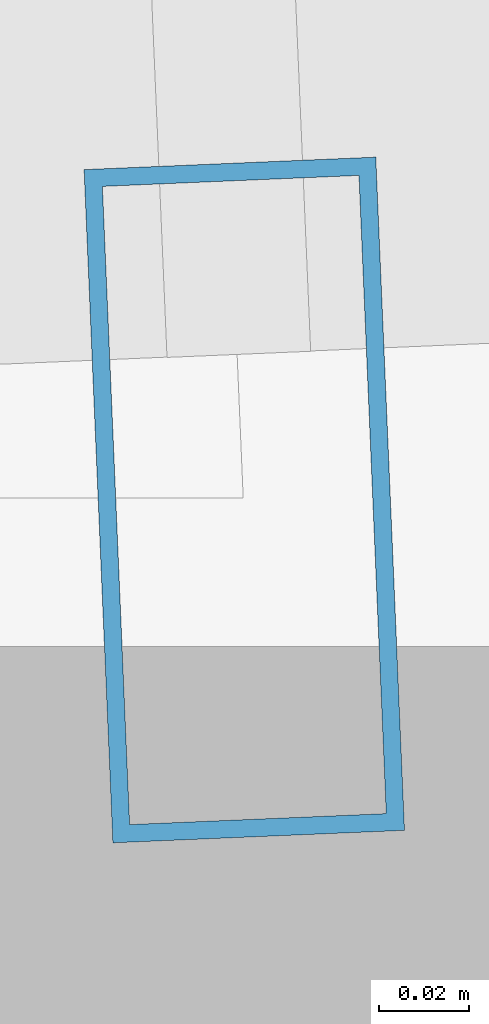
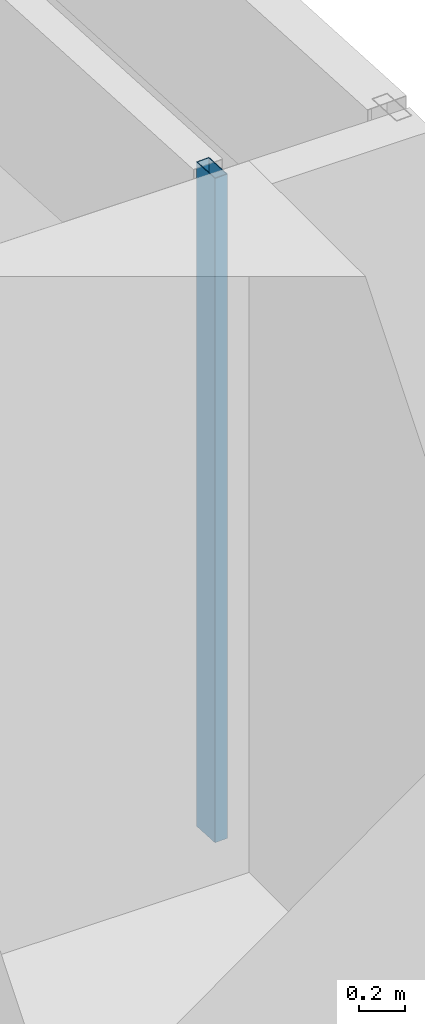
# One storey, part 20 of 42: 1 member, 1 element without a shape of its own.
"""IFC4 building model written with IfcOpenShell, lengths in metres."""

from ifc_helpers import new_model, si_unit, direction, frame, origin, origin_2d, place, context, subcontext, project, spatial, hollow_rectangle, extrude, material, material_profile, profile_set, type_object, element, aggregate, save


model = new_model("IFC4")

# Units and contexts
model_context = context("Model", 3, precision=1e-05, world=origin(), true_north=direction((0.0, 1.0)))
body_context = subcontext(model_context, "Body", "Model", "MODEL_VIEW")
ifc_project = project(units=[si_unit("LENGTHUNIT", "METRE"), si_unit("AREAUNIT", "SQUARE_METRE"), si_unit("VOLUMEUNIT", "CUBIC_METRE"), si_unit("PLANEANGLEUNIT", "RADIAN"), si_unit("MASSUNIT", "GRAM", prefix="KILO")], contexts=[model_context])

# Site, building, storey
site_placement = place(None, origin())
site = spatial("IfcSite", under=ifc_project, at=site_placement, CompositionType="ELEMENT")
building_placement = place(site_placement, origin())
building = spatial("IfcBuilding", under=site, at=building_placement, Name="Rekha Terrace Tower", CompositionType="ELEMENT")
storey_placement = place(building_placement, frame((0.0, 0.0, 40.39990234375)))
storey = spatial("IfcBuildingStorey", under=building, at=storey_placement, Name="L09", CompositionType="ELEMENT", Elevation=40.39990234375)

# Curtain wall, member
ifc_material_1 = material(Name="Aluminium framing", Category="aluminium")
curtain_wall_type = type_object("IfcCurtainWallType", Name="CW1 double skin inner glazing", PredefinedType="USERDEFINED", material=ifc_material_1)
curtain_wall_placement = place(storey_placement, origin())
curtain_wall = element("IfcCurtainWall", 1, at=curtain_wall_placement, inside=storey, type_object=curtain_wall_type, Name="CW1 double skin inner glazing", ObjectType="DOUBLE SKIN INNER GLAZING", PredefinedType="USERDEFINED")
ifc_material_2 = material(Name="Aluminium mullion section", Category="aluminium")
ifc_material_profile = material_profile(ifc_material_2, hollow_rectangle(XDim=0.06494140625, YDim=0.14990234375, WallThickness=0.00390625, at=origin_2d()), Name="AL RHS 65x150")
ifc_profile_set = profile_set([ifc_material_profile], Name="Aluminium mullion section")
member_type = type_object("IfcMemberType", Name="CW1 mullion RHS 65 x 150", PredefinedType="MULLION", material=ifc_profile_set)
member_placement = place(storey_placement, frame((68.313232421875, 51.842529296875, 0.0), z_axis=(0.0, 0.0, 1.0), x_axis=(-0.9990881069, -0.042696073026, 0.0)))
member = element("IfcMember", 2, at=member_placement, type_object=member_type, Name="CW1 mullion 1", PredefinedType="MULLION", context=body_context, shape_type="SweptSolid", body=[
    extrude(hollow_rectangle(XDim=0.06494140625, YDim=0.14990234375, WallThickness=0.00390625, at=origin_2d()), origin(), (0.0, 0.0, 1.0), 3.5),
])
aggregate(curtain_wall, [member])

save(model, "model.ifc")
